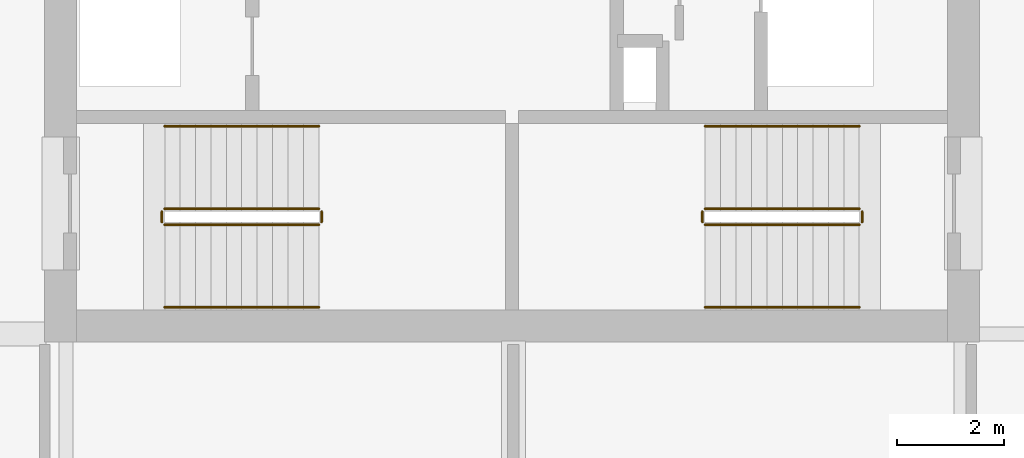
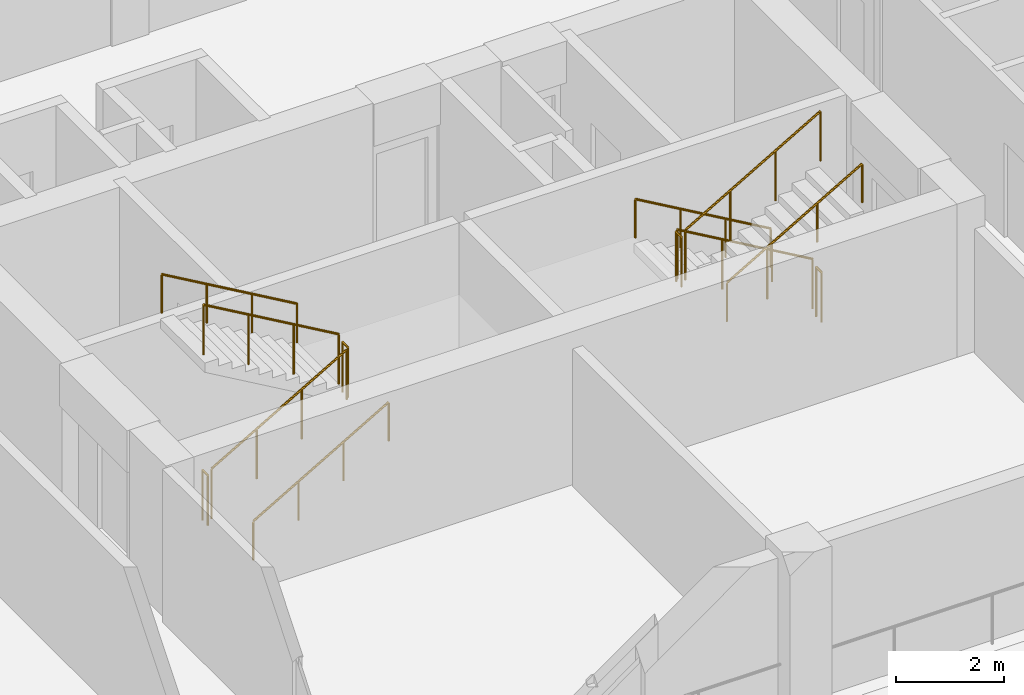
# One storey, part 10 of 13: 12 railings.
"""IFC4 building model written with IfcOpenShell, lengths in metres."""

from ifc_helpers import new_model, si_unit, direction, frame, origin, origin_2d, place, context, subcontext, project, spatial, circle, extrude, material, type_object, element, save


model = new_model("IFC4")

# Units and contexts
model_context = context("Model", 3, precision=1e-05, world=origin(), true_north=direction((0.0, 1.0)))
body_context = subcontext(model_context, "Body", "Model", "MODEL_VIEW")
ifc_project = project(units=[si_unit("LENGTHUNIT", "METRE"), si_unit("AREAUNIT", "SQUARE_METRE"), si_unit("VOLUMEUNIT", "CUBIC_METRE"), si_unit("PLANEANGLEUNIT", "RADIAN"), si_unit("MASSUNIT", "GRAM", prefix="KILO")], contexts=[model_context])

# Site, building, storey
site_placement = place(None, origin())
site = spatial("IfcSite", under=ifc_project, at=site_placement, CompositionType="ELEMENT")
building_placement = place(site_placement, origin())
building = spatial("IfcBuilding", under=site, at=building_placement, Name="Koriwani Terraces Tower", CompositionType="ELEMENT")
storey_placement = place(building_placement, frame((0.0, 0.0, 234.199951171875)))
storey = spatial("IfcBuildingStorey", under=building, at=storey_placement, Name="L57", CompositionType="ELEMENT", Elevation=234.199951171875)

# Railings
ifc_material = material(Name="Steel ASTM A572 Grade 50", Category="steel")
railing_type_1 = type_object("IfcRailingType", Name="GUARD_STAIR_WELL_1120", PredefinedType="GUARDRAIL", material=ifc_material)
railing_1_placement = place(storey_placement, frame((43.85009765625, 18.85009765625, 0.168212890625)))
element("IfcRailing", 1, at=railing_1_placement, inside=storey, type_object=railing_type_1, Name="L57 ST-E1 stair guard 1", PredefinedType="GUARDRAIL", context=body_context, shape_type="SweptSolid", body=[
    extrude(circle(Radius=0.02392578125, at=origin_2d()), frame((0.0, 0.0, 1.1259765625), z_axis=(0.865038774852, 0.0, 0.501705010941), x_axis=(0.0, 1.0, 0.0)), (0.0, 0.0, 1.0), 3.352294921875),
    extrude(circle(Radius=0.02099609375, at=origin_2d()), origin(), (0.0, 0.0, 1.0), 1.101806640625),
    extrude(circle(Radius=0.02099609375, at=origin_2d()), frame((0.966552734375, 0.0, 0.560546875)), (0.0, 0.0, 1.0), 1.101806640625),
    extrude(circle(Radius=0.02099609375, at=origin_2d()), frame((1.933349609375, 0.0, 1.121337890625)), (0.0, 0.0, 1.0), 1.101806640625),
    extrude(circle(Radius=0.02099609375, at=origin_2d()), frame((2.89990234375, 0.0, 1.681884765625)), (0.0, 0.0, 1.0), 1.101806640625),
])
railing_2_placement = place(storey_placement, frame((46.800048828125, 18.89990234375, 1.85009765625)))
element("IfcRailing", 2, at=railing_2_placement, inside=storey, type_object=railing_type_1, Name="L57 ST-E1 stair guard 2", PredefinedType="GUARDRAIL", context=body_context, shape_type="SweptSolid", body=[
    extrude(circle(Radius=0.02392578125, at=origin_2d()), frame((0.0, 0.0, 1.1259765625), z_axis=(0.0, 1.0, 0.0), x_axis=(-1.0, 0.0, 0.0)), (0.0, 0.0, 1.0), 0.2001953125),
    extrude(circle(Radius=0.02099609375, at=origin_2d()), origin(), (0.0, 0.0, 1.0), 1.101806640625),
    extrude(circle(Radius=0.02099609375, at=origin_2d()), frame((0.0, 0.2001953125, 0.0)), (0.0, 0.0, 1.0), 1.101806640625),
])
railing_3_placement = place(storey_placement, frame((46.75, 19.14990234375, 2.018310546875)))
element("IfcRailing", 3, at=railing_3_placement, inside=storey, type_object=railing_type_1, Name="L57 ST-E1 stair guard 3", PredefinedType="GUARDRAIL", context=body_context, shape_type="SweptSolid", body=[
    extrude(circle(Radius=0.02392578125, at=origin_2d()), frame((0.0, 0.0, 1.1259765625), z_axis=(-0.86507038078, 0.0, 0.501650512107), x_axis=(0.0, -1.0, 0.0)), (0.0, 0.0, 1.0), 3.352294921875),
    extrude(circle(Radius=0.02099609375, at=origin_2d()), origin(), (0.0, 0.0, 1.0), 1.101806640625),
    extrude(circle(Radius=0.02099609375, at=origin_2d()), frame((-0.966552734375, 0.0, 0.560546875)), (0.0, 0.0, 1.0), 1.101806640625),
    extrude(circle(Radius=0.02099609375, at=origin_2d()), frame((-1.933349609375, 0.0, 1.12109375)), (0.0, 0.0, 1.0), 1.101806640625),
    extrude(circle(Radius=0.02099609375, at=origin_2d()), frame((-2.89990234375, 0.0, 1.681640625)), (0.0, 0.0, 1.0), 1.101806640625),
])
railing_4_placement = place(storey_placement, frame((43.800048828125, 18.89990234375, 0.0)))
element("IfcRailing", 4, at=railing_4_placement, inside=storey, type_object=railing_type_1, Name="L57 ST-E1 stair guard 4", PredefinedType="GUARDRAIL", context=body_context, shape_type="SweptSolid", body=[
    extrude(circle(Radius=0.02392578125, at=origin_2d()), frame((0.0, 0.0, 1.1259765625), z_axis=(0.0, 1.0, 0.0), x_axis=(-1.0, 0.0, 0.0)), (0.0, 0.0, 1.0), 0.2001953125),
    extrude(circle(Radius=0.02099609375, at=origin_2d()), origin(), (0.0, 0.0, 1.0), 1.101806640625),
    extrude(circle(Radius=0.02099609375, at=origin_2d()), frame((0.0, 0.2001953125, 0.0)), (0.0, 0.0, 1.0), 1.101806640625),
])
railing_5_placement = place(storey_placement, frame((56.89990234375, 19.14990234375, 0.168212890625)))
element("IfcRailing", 5, at=railing_5_placement, inside=storey, type_object=railing_type_1, Name="L57 ST-E2 stair guard 1", PredefinedType="GUARDRAIL", context=body_context, shape_type="SweptSolid", body=[
    extrude(circle(Radius=0.02392578125, at=origin_2d()), frame((0.0, 0.0, 1.1259765625), z_axis=(-0.865038774852, 0.0, 0.501705010941), x_axis=(0.0, -1.0, 0.0)), (0.0, 0.0, 1.0), 3.352294921875),
    extrude(circle(Radius=0.02099609375, at=origin_2d()), origin(), (0.0, 0.0, 1.0), 1.101806640625),
    extrude(circle(Radius=0.02099609375, at=origin_2d()), frame((-0.966552734375, 0.0, 0.560546875)), (0.0, 0.0, 1.0), 1.101806640625),
    extrude(circle(Radius=0.02099609375, at=origin_2d()), frame((-1.933349609375, 0.0, 1.121337890625)), (0.0, 0.0, 1.0), 1.101806640625),
    extrude(circle(Radius=0.02099609375, at=origin_2d()), frame((-2.89990234375, 0.0, 1.681884765625)), (0.0, 0.0, 1.0), 1.101806640625),
])
railing_6_placement = place(storey_placement, frame((53.949951171875, 19.10009765625, 1.85009765625)))
element("IfcRailing", 6, at=railing_6_placement, inside=storey, type_object=railing_type_1, Name="L57 ST-E2 stair guard 2", PredefinedType="GUARDRAIL", context=body_context, shape_type="SweptSolid", body=[
    extrude(circle(Radius=0.02392578125, at=origin_2d()), frame((0.0, 0.0, 1.1259765625), z_axis=(0.0, -1.0, 0.0), x_axis=(1.0, 0.0, 0.0)), (0.0, 0.0, 1.0), 0.2001953125),
    extrude(circle(Radius=0.02099609375, at=origin_2d()), origin(), (0.0, 0.0, 1.0), 1.101806640625),
    extrude(circle(Radius=0.02099609375, at=origin_2d()), frame((0.0, -0.2001953125, 0.0)), (0.0, 0.0, 1.0), 1.101806640625),
])
railing_7_placement = place(storey_placement, frame((54.0, 18.85009765625, 2.018310546875)))
element("IfcRailing", 7, at=railing_7_placement, inside=storey, type_object=railing_type_1, Name="L57 ST-E2 stair guard 3", PredefinedType="GUARDRAIL", context=body_context, shape_type="SweptSolid", body=[
    extrude(circle(Radius=0.02392578125, at=origin_2d()), frame((0.0, 0.0, 1.1259765625), z_axis=(0.86507038078, 0.0, 0.501650512107), x_axis=(0.0, 1.0, 0.0)), (0.0, 0.0, 1.0), 3.352294921875),
    extrude(circle(Radius=0.02099609375, at=origin_2d()), origin(), (0.0, 0.0, 1.0), 1.101806640625),
    extrude(circle(Radius=0.02099609375, at=origin_2d()), frame((0.966552734375, 0.0, 0.560546875)), (0.0, 0.0, 1.0), 1.101806640625),
    extrude(circle(Radius=0.02099609375, at=origin_2d()), frame((1.933349609375, 0.0, 1.12109375)), (0.0, 0.0, 1.0), 1.101806640625),
    extrude(circle(Radius=0.02099609375, at=origin_2d()), frame((2.89990234375, 0.0, 1.681640625)), (0.0, 0.0, 1.0), 1.101806640625),
])
railing_8_placement = place(storey_placement, frame((56.949951171875, 19.10009765625, 0.0)))
element("IfcRailing", 8, at=railing_8_placement, inside=storey, type_object=railing_type_1, Name="L57 ST-E2 stair guard 4", PredefinedType="GUARDRAIL", context=body_context, shape_type="SweptSolid", body=[
    extrude(circle(Radius=0.02392578125, at=origin_2d()), frame((0.0, 0.0, 1.1259765625), z_axis=(0.0, -1.0, 0.0), x_axis=(1.0, 0.0, 0.0)), (0.0, 0.0, 1.0), 0.2001953125),
    extrude(circle(Radius=0.02099609375, at=origin_2d()), origin(), (0.0, 0.0, 1.0), 1.101806640625),
    extrude(circle(Radius=0.02099609375, at=origin_2d()), frame((0.0, -0.2001953125, 0.0)), (0.0, 0.0, 1.0), 1.101806640625),
])
railing_type_2 = type_object("IfcRailingType", Name="HANDRAIL_STAIR_920", PredefinedType="HANDRAIL", material=ifc_material)
railing_9_placement = place(storey_placement, frame((43.85009765625, 17.300048828125, 0.168212890625)))
element("IfcRailing", 9, at=railing_9_placement, inside=storey, type_object=railing_type_2, Name="L57 ST-E1 stair handrail 1", PredefinedType="HANDRAIL", context=body_context, shape_type="SweptSolid", body=[
    extrude(circle(Radius=0.02392578125, at=origin_2d()), frame((0.0, 0.0, 0.8759765625), z_axis=(0.865038774852, 0.0, 0.501705010941), x_axis=(0.0, 1.0, 0.0)), (0.0, 0.0, 1.0), 3.352294921875),
    extrude(circle(Radius=0.02099609375, at=origin_2d()), origin(), (0.0, 0.0, 1.0), 0.851806640625),
    extrude(circle(Radius=0.02099609375, at=origin_2d()), frame((0.966552734375, 0.0, 0.560546875)), (0.0, 0.0, 1.0), 0.851806640625),
    extrude(circle(Radius=0.02099609375, at=origin_2d()), frame((1.933349609375, 0.0, 1.121337890625)), (0.0, 0.0, 1.0), 0.851806640625),
    extrude(circle(Radius=0.02099609375, at=origin_2d()), frame((2.89990234375, 0.0, 1.681884765625)), (0.0, 0.0, 1.0), 0.851806640625),
])
railing_10_placement = place(storey_placement, frame((46.75, 20.699951171875, 2.018310546875)))
element("IfcRailing", 10, at=railing_10_placement, inside=storey, type_object=railing_type_2, Name="L57 ST-E1 stair handrail 2", PredefinedType="HANDRAIL", context=body_context, shape_type="SweptSolid", body=[
    extrude(circle(Radius=0.02392578125, at=origin_2d()), frame((0.0, 0.0, 0.8759765625), z_axis=(-0.86507038078, 0.0, 0.501650512107), x_axis=(0.0, -1.0, 0.0)), (0.0, 0.0, 1.0), 3.352294921875),
    extrude(circle(Radius=0.02099609375, at=origin_2d()), origin(), (0.0, 0.0, 1.0), 0.851806640625),
    extrude(circle(Radius=0.02099609375, at=origin_2d()), frame((-0.966552734375, 0.0, 0.560546875)), (0.0, 0.0, 1.0), 0.851806640625),
    extrude(circle(Radius=0.02099609375, at=origin_2d()), frame((-1.933349609375, 0.0, 1.12109375)), (0.0, 0.0, 1.0), 0.851806640625),
    extrude(circle(Radius=0.02099609375, at=origin_2d()), frame((-2.89990234375, 0.0, 1.681640625)), (0.0, 0.0, 1.0), 0.851806640625),
])
railing_11_placement = place(storey_placement, frame((56.89990234375, 20.699951171875, 0.168212890625)))
element("IfcRailing", 11, at=railing_11_placement, inside=storey, type_object=railing_type_2, Name="L57 ST-E2 stair handrail 1", PredefinedType="HANDRAIL", context=body_context, shape_type="SweptSolid", body=[
    extrude(circle(Radius=0.02392578125, at=origin_2d()), frame((0.0, 0.0, 0.8759765625), z_axis=(-0.865038774852, 0.0, 0.501705010941), x_axis=(0.0, -1.0, 0.0)), (0.0, 0.0, 1.0), 3.352294921875),
    extrude(circle(Radius=0.02099609375, at=origin_2d()), origin(), (0.0, 0.0, 1.0), 0.851806640625),
    extrude(circle(Radius=0.02099609375, at=origin_2d()), frame((-0.966552734375, 0.0, 0.560546875)), (0.0, 0.0, 1.0), 0.851806640625),
    extrude(circle(Radius=0.02099609375, at=origin_2d()), frame((-1.933349609375, 0.0, 1.121337890625)), (0.0, 0.0, 1.0), 0.851806640625),
    extrude(circle(Radius=0.02099609375, at=origin_2d()), frame((-2.89990234375, 0.0, 1.681884765625)), (0.0, 0.0, 1.0), 0.851806640625),
])
railing_12_placement = place(storey_placement, frame((54.0, 17.300048828125, 2.018310546875)))
element("IfcRailing", 12, at=railing_12_placement, inside=storey, type_object=railing_type_2, Name="L57 ST-E2 stair handrail 2", PredefinedType="HANDRAIL", context=body_context, shape_type="SweptSolid", body=[
    extrude(circle(Radius=0.02392578125, at=origin_2d()), frame((0.0, 0.0, 0.8759765625), z_axis=(0.86507038078, 0.0, 0.501650512107), x_axis=(0.0, 1.0, 0.0)), (0.0, 0.0, 1.0), 3.352294921875),
    extrude(circle(Radius=0.02099609375, at=origin_2d()), origin(), (0.0, 0.0, 1.0), 0.851806640625),
    extrude(circle(Radius=0.02099609375, at=origin_2d()), frame((0.966552734375, 0.0, 0.560546875)), (0.0, 0.0, 1.0), 0.851806640625),
    extrude(circle(Radius=0.02099609375, at=origin_2d()), frame((1.933349609375, 0.0, 1.12109375)), (0.0, 0.0, 1.0), 0.851806640625),
    extrude(circle(Radius=0.02099609375, at=origin_2d()), frame((2.89990234375, 0.0, 1.681640625)), (0.0, 0.0, 1.0), 0.851806640625),
])

save(model, "model.ifc")
